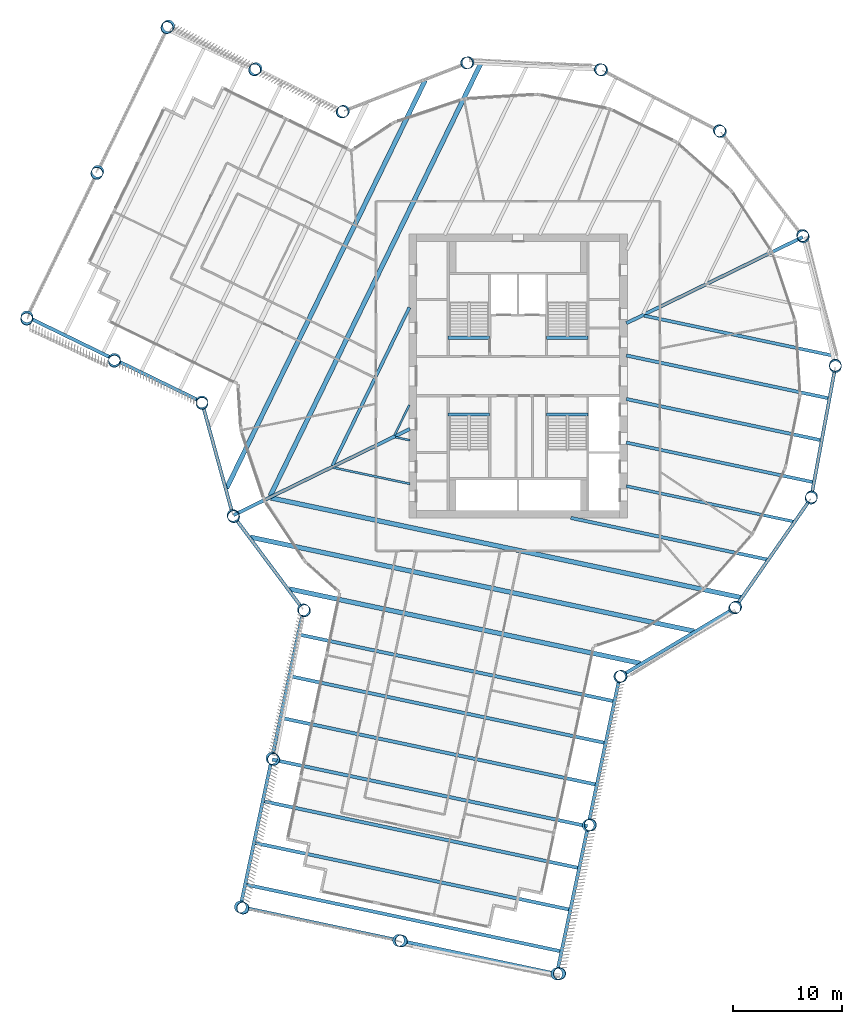
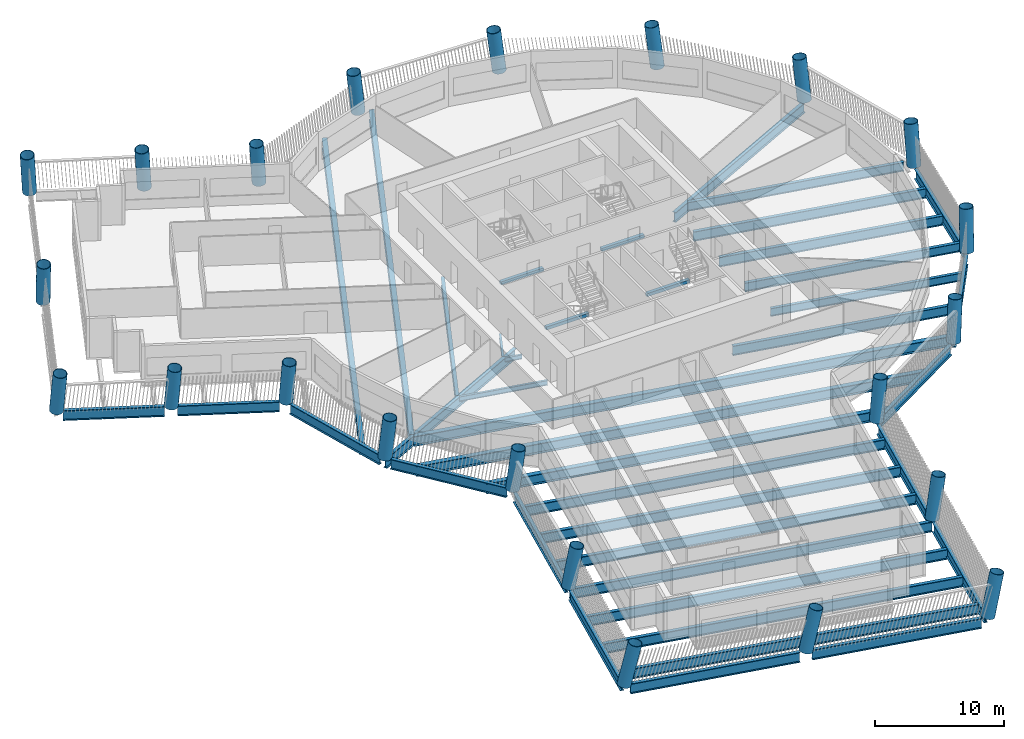
# One storey, part 1 of 15: 41 beams, 22 columns.
"""IFC4 building model written with IfcOpenShell, lengths in metres."""

from ifc_helpers import new_model, si_unit, direction, frame, origin, origin_2d, place, context, subcontext, project, spatial, rectangle, hollow_circle, i_section, extrude, material, material_profile, profile_set, type_object, element, save


model = new_model("IFC4")

# Units and contexts
model_context = context("Model", 3, precision=1e-05, world=origin(), true_north=direction((0.0, 1.0)))
body_context = subcontext(model_context, "Body", "Model", "MODEL_VIEW")
ifc_project = project(units=[si_unit("LENGTHUNIT", "METRE"), si_unit("AREAUNIT", "SQUARE_METRE"), si_unit("VOLUMEUNIT", "CUBIC_METRE"), si_unit("PLANEANGLEUNIT", "RADIAN"), si_unit("MASSUNIT", "GRAM", prefix="KILO")], contexts=[model_context])

# Site, building, storey
site_placement = place(None, origin())
site = spatial("IfcSite", under=ifc_project, at=site_placement, CompositionType="ELEMENT")
building_placement = place(site_placement, origin())
building = spatial("IfcBuilding", under=site, at=building_placement, Name="Tarsis Ring Headquarters", CompositionType="ELEMENT")
storey_placement = place(building_placement, frame((0.0, 0.0, 174.89990234375)))
storey = spatial("IfcBuildingStorey", under=building, at=storey_placement, Name="L40", CompositionType="ELEMENT", Elevation=174.89990234375)

# Columns
ifc_material_1 = material(Name="Structural steel S355", Category="steel")
ifc_material_profile_1 = material_profile(ifc_material_1, hollow_circle(Radius=0.558837890625, WallThickness=0.044921875, at=origin_2d()), Name="CHS 1118x45")
ifc_profile_set_1 = profile_set([ifc_material_profile_1], Name="Structural steel S355")
column_type = type_object("IfcColumnType", Name="XC Exo column CHS 1118x45", PredefinedType="COLUMN", material=ifc_profile_set_1)
for number, where, z_axis, x_axis, name in (
    (1, (-26.099609375, -12.75244140625, 0.001220703125), (0.051819896051, -0.104013044654, 0.993225042433), (0.895068662018, 0.445928346568, 0.0), "Exo column XC4 F1"),
    (2, (-19.658447265625, -21.385986328125, 0.001220703125), (0.086159337449, -0.077947761606, 0.99322742362), (0.67088528387, 0.741561147773, 0.0), "Exo column XC4 AK"),
):
    element("IfcColumn", number, at=place(storey_placement, frame(where, z_axis=z_axis, x_axis=x_axis)), inside=storey, type_object=column_type, Name=name, PredefinedType="COLUMN", context=body_context, shape_type="SweptSolid", body=[
        extrude(hollow_circle(Radius=0.558837890625, WallThickness=0.044921875, at=origin_2d()), origin(), (0.0, 0.0, 1.0), 3.924560546875),
    ])
column_1_placement = place(storey_placement, frame((-22.539306640625, -34.986572265625, 0.00146484375), z_axis=(0.139691111192, -0.088411313629, 0.986240251195), x_axis=(0.534794215706, 0.844982335228, 0.0)))
element("IfcColumn", 3, at=column_1_placement, inside=storey, type_object=column_type, Name="Exo column XC4 AI1", PredefinedType="COLUMN", context=body_context, shape_type="SweptSolid", body=[
    extrude(hollow_circle(Radius=0.558837890625, WallThickness=0.044921875, at=origin_2d()), origin(), (0.0, 0.0, 1.0), 3.95166015625),
])
column_2_placement = place(storey_placement, frame((-25.420166015625, -48.5869140625, 0.001708984375), z_axis=(0.191914307217, -0.098496026337, 0.976456569173), x_axis=(0.456604510391, 0.889669782048, 0.0)))
element("IfcColumn", 4, at=column_2_placement, inside=storey, type_object=column_type, Name="Exo column XC4 AT1", PredefinedType="COLUMN", context=body_context, shape_type="SweptSolid", body=[
    extrude(hollow_circle(Radius=0.558837890625, WallThickness=0.044921875, at=origin_2d()), origin(), (0.0, 0.0, 1.0), 3.99072265625),
])
column_3_placement = place(storey_placement, frame((-10.94140625, -51.65380859375, 0.001708984375), z_axis=(0.203824626866, -0.041549337647, 0.978125336562), x_axis=(0.19974067458, 0.979848795947, 0.0)))
element("IfcColumn", 5, at=column_3_placement, inside=storey, type_object=column_type, Name="Exo column XC4 AT2", PredefinedType="COLUMN", context=body_context, shape_type="SweptSolid", body=[
    extrude(hollow_circle(Radius=0.558837890625, WallThickness=0.044921875, at=origin_2d()), origin(), (0.0, 0.0, 1.0), 3.98388671875),
])
column_4_placement = place(storey_placement, frame((3.537353515625, -54.720703125, 0.001708984375), z_axis=(0.215102888251, 0.015600465445, 0.976466780256), x_axis=(-0.072335605502, 0.997380348802, 0.0)))
element("IfcColumn", 6, at=column_4_placement, inside=storey, type_object=column_type, Name="Exo column XC4 AT3", PredefinedType="COLUMN", context=body_context, shape_type="SweptSolid", body=[
    extrude(hollow_circle(Radius=0.558837890625, WallThickness=0.044921875, at=origin_2d()), origin(), (0.0, 0.0, 1.0), 3.99072265625),
])
column_5_placement = place(storey_placement, frame((6.418212890625, -41.120361328125, 0.00146484375), z_axis=(0.16316783407, 0.026751863746, 0.986235568062), x_axis=(-0.161792922616, 0.986824731242, 0.0)))
element("IfcColumn", 7, at=column_5_placement, inside=storey, type_object=column_type, Name="Exo column XC4 AO1", PredefinedType="COLUMN", context=body_context, shape_type="SweptSolid", body=[
    extrude(hollow_circle(Radius=0.558837890625, WallThickness=0.044921875, at=origin_2d()), origin(), (0.0, 0.0, 1.0), 3.95166015625),
])
for number, where, z_axis, x_axis, name in (
    (8, (9.299072265625, -27.519775390625, 0.001220703125), (0.109798656167, 0.038009619783, 0.993226823997), (-0.3271289527, 0.94497970788, 0.0), "Exo column XC4 AJ"),
    (9, (19.815673828125, -21.240234375, 0.001220703125), (0.084354997231, 0.07993817953, 0.993224104568), (-0.687848573221, 0.725854214232, 0.0), "Exo column XC4 R1"),
    (10, (26.80908203125, -11.18408203125, 0.001220703125), (0.04391951932, 0.107559276069, 0.993228109728), (-0.925794108463, 0.378028132201, 0.0), "Exo column XC4 R2"),
    (11, (29.03564453125, 0.860595703125, 0.001220703125), (-0.00435460371, 0.116143501811, 0.993222897649), (-0.999297866229, -0.037466979452, 0.0), "Exo column XC4 R3"),
    (12, (26.099609375, 12.75244140625, 0.001220703125), (-0.051819896051, 0.104013044654, 0.993225042433), (-0.895068662018, -0.445928346568, 0.0), "Exo column XC4 R4"),
    (13, (18.52294921875, 22.376708984375, 0.001220703125), (-0.090078347007, 0.073406387754, 0.993225751598), (-0.631720615671, -0.775196145331, 0.0), "Exo column XC4 R5"),
    (14, (7.65283203125, 28.022216796875, 0.001220703125), (-0.112348877677, 0.029735749463, 0.993223798994), (-0.255863135024, -0.96671301643, 0.0), "Exo column XC4 R6"),
    (15, (-4.578125, 28.685546875, 0.001220703125), (-0.114588761578, -0.019222544695, 0.993227018106), (0.165440768716, -0.986219728076, 0.0), "Exo column XC4 R7"),
    (16, (-15.994873046875, 24.248291015625, 0.001220703125), (-0.096547449596, -0.064758952983, 0.993219446037), (0.557044220167, -0.830482833524, 0.0), "Exo column XC4 BJ"),
):
    element("IfcColumn", number, at=place(storey_placement, frame(where, z_axis=z_axis, x_axis=x_axis)), inside=storey, type_object=column_type, Name=name, PredefinedType="COLUMN", context=body_context, shape_type="SweptSolid", body=[
        extrude(hollow_circle(Radius=0.558837890625, WallThickness=0.044921875, at=origin_2d()), origin(), (0.0, 0.0, 1.0), 3.924560546875),
    ])
column_6_placement = place(storey_placement, frame((-23.9990234375, 28.14501953125, 0.001220703125), z_axis=(-0.111330793432, -0.096461906162, 0.989090771918), x_axis=(0.654834462813, -0.75577233762, 0.0)))
element("IfcColumn", 17, at=column_6_placement, inside=storey, type_object=column_type, Name="Exo column XC4 BO1", PredefinedType="COLUMN", context=body_context, shape_type="SweptSolid", body=[
    extrude(hollow_circle(Radius=0.558837890625, WallThickness=0.044921875, at=origin_2d()), origin(), (0.0, 0.0, 1.0), 3.940673828125),
])
column_7_placement = place(storey_placement, frame((-32.0029296875, 32.0419921875, 0.00146484375), z_axis=(-0.12596738584, -0.127816222227, 0.98376584157), x_axis=(0.712239217701, -0.701936818217, 0.0)))
element("IfcColumn", 18, at=column_7_placement, inside=storey, type_object=column_type, Name="Exo column XC4 BT3", PredefinedType="COLUMN", context=body_context, shape_type="SweptSolid", body=[
    extrude(hollow_circle(Radius=0.558837890625, WallThickness=0.044921875, at=origin_2d()), origin(), (0.0, 0.0, 1.0), 3.96142578125),
])
column_8_placement = place(storey_placement, frame((-38.481689453125, 18.735107421875, 0.00146484375), z_axis=(-0.073155551745, -0.15328711813, 0.985470103384), x_axis=(0.902490670909, -0.430709401944, 0.0)))
element("IfcColumn", 19, at=column_8_placement, inside=storey, type_object=column_type, Name="Exo column XC4 BT2", PredefinedType="COLUMN", context=body_context, shape_type="SweptSolid", body=[
    extrude(hollow_circle(Radius=0.558837890625, WallThickness=0.044921875, at=origin_2d()), origin(), (0.0, 0.0, 1.0), 3.95458984375),
])
column_9_placement = place(storey_placement, frame((-44.960205078125, 5.428466796875, 0.00146484375), z_axis=(-0.020090829408, -0.17829070392, 0.983772729582), x_axis=(0.993710788733, -0.111977088533, 0.0)))
element("IfcColumn", 20, at=column_9_placement, inside=storey, type_object=column_type, Name="Exo column XC4 BT1", PredefinedType="COLUMN", context=body_context, shape_type="SweptSolid", body=[
    extrude(hollow_circle(Radius=0.558837890625, WallThickness=0.044921875, at=origin_2d()), origin(), (0.0, 0.0, 1.0), 3.96142578125),
])
column_10_placement = place(storey_placement, frame((-36.9560546875, 1.53173828125, 0.001220703125), z_axis=(-0.004956266546, -0.147263069752, 0.989084942616), x_axis=(0.999434121939, -0.033636823624, 0.0)))
element("IfcColumn", 21, at=column_10_placement, inside=storey, type_object=column_type, Name="Exo column XC4 BI1", PredefinedType="COLUMN", context=body_context, shape_type="SweptSolid", body=[
    extrude(hollow_circle(Radius=0.558837890625, WallThickness=0.044921875, at=origin_2d()), origin(), (0.0, 0.0, 1.0), 3.940673828125),
])
column_11_placement = place(storey_placement, frame((-28.9521484375, -2.365234375, 0.001220703125), z_axis=(0.010388902596, -0.115708735505, 0.993228855416), x_axis=(0.995993538583, 0.089425226314, 0.0)))
element("IfcColumn", 22, at=column_11_placement, inside=storey, type_object=column_type, Name="Exo column XC4 BK", PredefinedType="COLUMN", context=body_context, shape_type="SweptSolid", body=[
    extrude(hollow_circle(Radius=0.558837890625, WallThickness=0.044921875, at=origin_2d()), origin(), (0.0, 0.0, 1.0), 3.924560546875),
])

# Beams
ifc_material_profile_2 = material_profile(ifc_material_1, i_section(OverallWidth=0.177734375, OverallDepth=0.406494140625, WebThickness=0.0078125, FlangeThickness=0.0126953125, at=origin_2d()), Name="W16x40")
ifc_profile_set_2 = profile_set([ifc_material_profile_2], Name="Structural steel S355")
beam_type_1 = type_object("IfcBeamType", Name="FB Floor beam W16x40", PredefinedType="JOIST", material=ifc_profile_set_2)
beam_1_placement = place(storey_placement, frame((-11.23486328125, -5.59326171875, -0.363037109375), z_axis=(0.978305719164, -0.207166406183, 0.0), x_axis=(0.207166406183, 0.978305719164, 0.0)))
element("IfcBeam", 23, at=beam_1_placement, inside=storey, type_object=beam_type_1, Name="Floor beam FB1", PredefinedType="JOIST", context=body_context, shape_type="SweptSolid", body=[
    extrude(i_section(OverallWidth=0.177734375, OverallDepth=0.406494140625, WebThickness=0.0078125, FlangeThickness=0.0126953125, at=origin_2d()), origin(), (0.0, 0.0, 1.0), 1.3623046875),
])
beam_2_placement = place(storey_placement, frame((-9.956298828125, -2.630859375, -0.363037109375), z_axis=(-0.437731769442, -0.899105610049, 0.0), x_axis=(0.899105610049, -0.437731769442, 0.0)))
element("IfcBeam", 24, at=beam_2_placement, inside=storey, type_object=beam_type_1, Name="Floor beam FB1", PredefinedType="JOIST", context=body_context, shape_type="SweptSolid", body=[
    extrude(i_section(OverallWidth=0.177734375, OverallDepth=0.406494140625, WebThickness=0.0078125, FlangeThickness=0.0126953125, at=origin_2d()), origin(), (0.0, 0.0, 1.0), 3.1083984375),
])
ifc_material_profile_3 = material_profile(ifc_material_1, i_section(OverallWidth=0.1904296875, OverallDepth=0.457275390625, WebThickness=0.009033203125, FlangeThickness=0.014404296875, at=origin_2d()), Name="W18x50")
ifc_profile_set_3 = profile_set([ifc_material_profile_3], Name="Structural steel S355")
beam_type_2 = type_object("IfcBeamType", Name="FB Floor beam W18x50", PredefinedType="JOIST", material=ifc_profile_set_3)
beam_3_placement = place(storey_placement, frame((-16.926513671875, -8.3740234375, -0.388427734375), z_axis=(0.97829034993, -0.20723897132, 0.0), x_axis=(0.20723897132, 0.97829034993, 0.0)))
element("IfcBeam", 25, at=beam_3_placement, inside=storey, type_object=beam_type_2, Name="Floor beam FB2", PredefinedType="JOIST", context=body_context, shape_type="SweptSolid", body=[
    extrude(i_section(OverallWidth=0.1904296875, OverallDepth=0.457275390625, WebThickness=0.009033203125, FlangeThickness=0.014404296875, at=origin_2d()), origin(), (0.0, 0.0, 1.0), 7.18017578125),
])
ifc_material_profile_4 = material_profile(ifc_material_1, i_section(OverallWidth=0.2666015625, OverallDepth=0.7568359375, WebThickness=0.013916015625, FlangeThickness=0.019287109375, at=origin_2d()), Name="W30x108")
ifc_profile_set_4 = profile_set([ifc_material_profile_4], Name="Structural steel S355")
beam_type_3 = type_object("IfcBeamType", Name="FB Floor beam W30x108", PredefinedType="JOIST", material=ifc_profile_set_4)
beam_4_placement = place(storey_placement, frame((9.902099609375, -10.070556640625, -0.538330078125), z_axis=(0.978291055931, -0.207235638552, 0.0), x_axis=(0.207235638552, 0.978291055931, 0.0)))
element("IfcBeam", 26, at=beam_4_placement, inside=storey, type_object=beam_type_3, Name="Floor beam FB6", PredefinedType="JOIST", context=body_context, shape_type="SweptSolid", body=[
    extrude(i_section(OverallWidth=0.2666015625, OverallDepth=0.7568359375, WebThickness=0.013916015625, FlangeThickness=0.019287109375, at=origin_2d()), origin(), (0.0, 0.0, 1.0), 15.68505859375),
])
ifc_material_profile_5 = material_profile(ifc_material_1, i_section(OverallWidth=0.2919921875, OverallDepth=0.835693359375, WebThickness=0.013916015625, FlangeThickness=0.018798828125, at=origin_2d()), Name="W33x118")
ifc_profile_set_5 = profile_set([ifc_material_profile_5], Name="Structural steel S355")
beam_type_4 = type_object("IfcBeamType", Name="FB Floor beam W33x118", PredefinedType="JOIST", material=ifc_profile_set_5)
beam_5_placement = place(storey_placement, frame((11.531494140625, 5.5302734375, -0.57763671875), z_axis=(0.978294787934, -0.207218020212, 0.0), x_axis=(0.207218020212, 0.978294787934, 0.0)))
element("IfcBeam", 27, at=beam_5_placement, inside=storey, type_object=beam_type_4, Name="Floor beam FB7", PredefinedType="JOIST", context=body_context, shape_type="SweptSolid", body=[
    extrude(i_section(OverallWidth=0.2919921875, OverallDepth=0.835693359375, WebThickness=0.013916015625, FlangeThickness=0.018798828125, at=origin_2d()), origin(), (0.0, 0.0, 1.0), 17.564453125),
])
beam_6_placement = place(storey_placement, frame((9.902099609375, -6.083984375, -0.57763671875), z_axis=(0.978292257713, -0.207229965252, 0.0), x_axis=(0.207229965252, 0.978292257713, 0.0)))
element("IfcBeam", 28, at=beam_6_placement, inside=storey, type_object=beam_type_4, Name="Floor beam FB7", PredefinedType="JOIST", context=body_context, shape_type="SweptSolid", body=[
    extrude(i_section(OverallWidth=0.2919921875, OverallDepth=0.835693359375, WebThickness=0.013916015625, FlangeThickness=0.018798828125, at=origin_2d()), origin(), (0.0, 0.0, 1.0), 17.503173828125),
])
beam_7_placement = place(storey_placement, frame((-9.956298828125, 6.278564453125, -0.57763671875), z_axis=(-0.437732309894, -0.899105346928, 0.0), x_axis=(0.899105346928, -0.437732309894, 0.0)))
element("IfcBeam", 29, at=beam_7_placement, inside=storey, type_object=beam_type_4, Name="Floor beam FB7", PredefinedType="JOIST", context=body_context, shape_type="SweptSolid", body=[
    extrude(i_section(OverallWidth=0.2919921875, OverallDepth=0.835693359375, WebThickness=0.013916015625, FlangeThickness=0.018798828125, at=origin_2d()), origin(), (0.0, 0.0, 1.0), 16.1103515625),
])
ifc_material_profile_6 = material_profile(ifc_material_1, i_section(OverallWidth=0.3046875, OverallDepth=0.904296875, WebThickness=0.01513671875, FlangeThickness=0.02001953125, at=origin_2d()), Name="W36x135")
ifc_profile_set_6 = profile_set([ifc_material_profile_6], Name="Structural steel S355")
beam_type_5 = type_object("IfcBeamType", Name="FB Floor beam W36x135", PredefinedType="JOIST", material=ifc_profile_set_6)
beam_8_placement = place(storey_placement, frame((9.902099609375, 1.888916015625, -0.612060546875), z_axis=(0.978294143917, -0.20722106065, 0.0), x_axis=(0.20722106065, 0.978294143917, 0.0)))
element("IfcBeam", 30, at=beam_8_placement, inside=storey, type_object=beam_type_5, Name="Floor beam FB8", PredefinedType="JOIST", context=body_context, shape_type="SweptSolid", body=[
    extrude(i_section(OverallWidth=0.3046875, OverallDepth=0.904296875, WebThickness=0.01513671875, FlangeThickness=0.02001953125, at=origin_2d()), origin(), (0.0, 0.0, 1.0), 18.953125),
])
beam_9_placement = place(storey_placement, frame((9.902099609375, -2.09765625, -0.612060546875), z_axis=(0.978293238333, -0.207225335882, 0.0), x_axis=(0.207225335882, 0.978293238333, 0.0)))
element("IfcBeam", 31, at=beam_9_placement, inside=storey, type_object=beam_type_5, Name="Floor beam FB8", PredefinedType="JOIST", context=body_context, shape_type="SweptSolid", body=[
    extrude(i_section(OverallWidth=0.3046875, OverallDepth=0.904296875, WebThickness=0.01513671875, FlangeThickness=0.02001953125, at=origin_2d()), origin(), (0.0, 0.0, 1.0), 18.228271484375),
])
beam_10_placement = place(storey_placement, frame((4.813720703125, -12.979248046875, -0.612060546875), z_axis=(0.978292471837, -0.207228954412, 0.0), x_axis=(0.207228954412, 0.978292471837, 0.0)))
element("IfcBeam", 32, at=beam_10_placement, inside=storey, type_object=beam_type_5, Name="Floor beam FB8", PredefinedType="JOIST", context=body_context, shape_type="SweptSolid", body=[
    extrude(i_section(OverallWidth=0.3046875, OverallDepth=0.904296875, WebThickness=0.01513671875, FlangeThickness=0.02001953125, at=origin_2d()), origin(), (0.0, 0.0, 1.0), 18.416259765625),
])
ifc_material_profile_7 = material_profile(ifc_material_1, i_section(OverallWidth=0.309814453125, OverallDepth=0.949951171875, WebThickness=0.0244140625, FlangeThickness=0.0439453125, at=origin_2d()), Name="W36x256")
ifc_profile_set_7 = profile_set([ifc_material_profile_7], Name="Structural steel S355")
beam_type_6 = type_object("IfcBeamType", Name="FB Floor beam W36x256", PredefinedType="JOIST", material=ifc_profile_set_7)
beam_11_placement = place(storey_placement, frame((-20.082275390625, -23.65185546875, -0.635009765625), z_axis=(0.97829315713, -0.207225719234, 0.0), x_axis=(0.207225719234, 0.97829315713, 0.0)))
element("IfcBeam", 33, at=beam_11_placement, inside=storey, type_object=beam_type_6, Name="Floor beam FB11", PredefinedType="JOIST", context=body_context, shape_type="SweptSolid", body=[
    extrude(i_section(OverallWidth=0.309814453125, OverallDepth=0.949951171875, WebThickness=0.0244140625, FlangeThickness=0.0439453125, at=origin_2d()), origin(), (0.0, 0.0, 1.0), 29.489990234375),
])
beam_12_placement = place(storey_placement, frame((-20.890625, -27.467041015625, -0.635009765625), z_axis=(0.978291834301, -0.207231964088, 0.0), x_axis=(0.207231964088, 0.978291834301, 0.0)))
element("IfcBeam", 34, at=beam_12_placement, inside=storey, type_object=beam_type_6, Name="Floor beam FB11", PredefinedType="JOIST", context=body_context, shape_type="SweptSolid", body=[
    extrude(i_section(OverallWidth=0.309814453125, OverallDepth=0.949951171875, WebThickness=0.0244140625, FlangeThickness=0.0439453125, at=origin_2d()), origin(), (0.0, 0.0, 1.0), 29.490234375),
])
for number, where, z_axis, x_axis, name in (
    (35, (-21.69873046875, -31.282470703125, -0.635009765625), (0.97829315713, -0.207225719234, 0.0), (0.207225719234, 0.97829315713, 0.0), "Floor beam FB11"),
    (36, (-22.5068359375, -35.097900390625, -0.635009765625), (0.97829315713, -0.207225719234, 0.0), (0.207225719234, 0.97829315713, 0.0), "Floor beam FB11"),
):
    element("IfcBeam", number, at=place(storey_placement, frame(where, z_axis=z_axis, x_axis=x_axis)), inside=storey, type_object=beam_type_6, Name=name, PredefinedType="JOIST", context=body_context, shape_type="SweptSolid", body=[
        extrude(i_section(OverallWidth=0.309814453125, OverallDepth=0.949951171875, WebThickness=0.0244140625, FlangeThickness=0.0439453125, at=origin_2d()), origin(), (0.0, 0.0, 1.0), 29.489990234375),
    ])
beam_13_placement = place(storey_placement, frame((-23.315185546875, -38.9130859375, -0.635009765625), z_axis=(0.978291834301, -0.207231964088, 0.0), x_axis=(0.207231964088, 0.978291834301, 0.0)))
element("IfcBeam", 37, at=beam_13_placement, inside=storey, type_object=beam_type_6, Name="Floor beam FB11", PredefinedType="JOIST", context=body_context, shape_type="SweptSolid", body=[
    extrude(i_section(OverallWidth=0.309814453125, OverallDepth=0.949951171875, WebThickness=0.0244140625, FlangeThickness=0.0439453125, at=origin_2d()), origin(), (0.0, 0.0, 1.0), 29.490234375),
])
for number, where, z_axis, x_axis, name in (
    (38, (-24.123291015625, -42.728515625, -0.635009765625), (0.97829315713, -0.207225719234, 0.0), (0.207225719234, 0.97829315713, 0.0), "Floor beam FB11"),
    (39, (-24.931396484375, -46.5439453125, -0.635009765625), (0.97829315713, -0.207225719234, 0.0), (0.207225719234, 0.97829315713, 0.0), "Floor beam FB11"),
):
    element("IfcBeam", number, at=place(storey_placement, frame(where, z_axis=z_axis, x_axis=x_axis)), inside=storey, type_object=beam_type_6, Name=name, PredefinedType="JOIST", context=body_context, shape_type="SweptSolid", body=[
        extrude(i_section(OverallWidth=0.309814453125, OverallDepth=0.949951171875, WebThickness=0.0244140625, FlangeThickness=0.0439453125, at=origin_2d()), origin(), (0.0, 0.0, 1.0), 29.489990234375),
    ])
beam_type_7 = type_object("IfcBeamType", Name="FB Floor beam W36x256 spine", PredefinedType="BEAM", material=ifc_profile_set_7)
beam_14_placement = place(storey_placement, frame((-9.91015625, -4.842041015625, -0.635009765625), z_axis=(-0.898483859448, -0.439006553836, 0.0), x_axis=(0.439006553836, -0.898483859448, 0.0)))
element("IfcBeam", 40, at=beam_14_placement, inside=storey, type_object=beam_type_7, Name="Floor beam SB11", PredefinedType="BEAM", context=body_context, shape_type="SweptSolid", body=[
    extrude(i_section(OverallWidth=0.309814453125, OverallDepth=0.949951171875, WebThickness=0.0244140625, FlangeThickness=0.0439453125, at=origin_2d()), origin(), (0.0, 0.0, 1.0), 17.9609375),
])
beam_15_placement = place(storey_placement, frame((26.047119140625, 12.7265625, -0.635009765625), z_axis=(-0.898486723575, -0.439000691981, 0.0), x_axis=(0.439000691981, -0.898486723575, 0.0)))
element("IfcBeam", 41, at=beam_15_placement, inside=storey, type_object=beam_type_7, Name="Floor beam SB11", PredefinedType="BEAM", context=body_context, shape_type="SweptSolid", body=[
    extrude(i_section(OverallWidth=0.309814453125, OverallDepth=0.949951171875, WebThickness=0.0244140625, FlangeThickness=0.0439453125, at=origin_2d()), origin(), (0.0, 0.0, 1.0), 17.960205078125),
])
ifc_material_profile_8 = material_profile(ifc_material_1, i_section(OverallWidth=0.42431640625, OverallDepth=0.947509765625, WebThickness=0.02392578125, FlangeThickness=0.042724609375, at=origin_2d()), Name="W36x302")
ifc_profile_set_8 = profile_set([ifc_material_profile_8], Name="Structural steel S355")
beam_type_8 = type_object("IfcBeamType", Name="FB Floor beam W36x302", PredefinedType="JOIST", material=ifc_profile_set_8)
beam_16_placement = place(storey_placement, frame((-22.617919921875, -11.155029296875, -0.633544921875), z_axis=(0.978292740197, -0.207227687526, 0.0), x_axis=(0.207227687526, 0.978292740197, 0.0)))
element("IfcBeam", 42, at=beam_16_placement, inside=storey, type_object=beam_type_8, Name="Floor beam FB12", PredefinedType="JOIST", context=body_context, shape_type="SweptSolid", body=[
    extrude(i_section(OverallWidth=0.42431640625, OverallDepth=0.947509765625, WebThickness=0.02392578125, FlangeThickness=0.042724609375, at=origin_2d()), origin(), (0.0, 0.0, 1.0), 43.986572265625),
])
beam_17_placement = place(storey_placement, frame((-24.50439453125, -14.741943359375, -0.633544921875), z_axis=(0.978292133158, -0.207230553253, 0.0), x_axis=(0.207230553253, 0.978292133158, 0.0)))
element("IfcBeam", 43, at=beam_17_placement, inside=storey, type_object=beam_type_8, Name="Floor beam FB12", PredefinedType="JOIST", context=body_context, shape_type="SweptSolid", body=[
    extrude(i_section(OverallWidth=0.42431640625, OverallDepth=0.947509765625, WebThickness=0.02392578125, FlangeThickness=0.042724609375, at=origin_2d()), origin(), (0.0, 0.0, 1.0), 41.523681640625),
])
beam_18_placement = place(storey_placement, frame((-20.971923828125, -19.476806640625, -0.633544921875), z_axis=(0.978292556298, -0.207228555687, 0.0), x_axis=(0.207228555687, 0.978292556298, 0.0)))
element("IfcBeam", 44, at=beam_18_placement, inside=storey, type_object=beam_type_8, Name="Floor beam FB12", PredefinedType="JOIST", context=body_context, shape_type="SweptSolid", body=[
    extrude(i_section(OverallWidth=0.42431640625, OverallDepth=0.947509765625, WebThickness=0.02392578125, FlangeThickness=0.042724609375, at=origin_2d()), origin(), (0.0, 0.0, 1.0), 32.87548828125),
])
beam_19_placement = place(storey_placement, frame((-3.445068359375, 28.561279296875, -0.633544921875), z_axis=(-0.437742020471, -0.899100619238, 0.0), x_axis=(0.899100619238, -0.437742020471, 0.0)))
element("IfcBeam", 45, at=beam_19_placement, inside=storey, type_object=beam_type_8, Name="Floor beam FB12", PredefinedType="JOIST", context=body_context, shape_type="SweptSolid", body=[
    extrude(i_section(OverallWidth=0.42431640625, OverallDepth=0.947509765625, WebThickness=0.02392578125, FlangeThickness=0.042724609375, at=origin_2d()), origin(), (0.0, 0.0, 1.0), 43.98681640625),
])
beam_20_placement = place(storey_placement, frame((-8.51220703125, 27.063232421875, -0.633544921875), z_axis=(-0.437743762481, -0.899099771109, 0.0), x_axis=(0.899099771109, -0.437743762481, 0.0)))
element("IfcBeam", 46, at=beam_20_placement, inside=storey, type_object=beam_type_8, Name="Floor beam FB12", PredefinedType="JOIST", context=body_context, shape_type="SweptSolid", body=[
    extrude(i_section(OverallWidth=0.42431640625, OverallDepth=0.947509765625, WebThickness=0.02392578125, FlangeThickness=0.042724609375, at=origin_2d()), origin(), (0.0, 0.0, 1.0), 41.523681640625),
])
ifc_material_2 = material(Name="Concrete C40/50", Category="concrete")
ifc_material_profile_9 = material_profile(ifc_material_2, rectangle(XDim=0.300048828125, YDim=0.300048828125, at=origin_2d()), Name="Stair head beam 300x300 C40/50")
ifc_profile_set_9 = profile_set([ifc_material_profile_9], Name="Concrete C40/50")
beam_type_9 = type_object("IfcBeamType", Name="Stair head beam 300x300 C40/50", PredefinedType="BEAM", material=ifc_profile_set_9)
for number, where, z_axis, x_axis, name in (
    (47, (-6.39990234375, 3.510009765625, -0.309814453125), (1.0, 0.0, 0.0), (0.0, 1.0, 0.0), "Stair head beam L40 Firefighting stair"),
    (48, (2.60009765625, 3.510009765625, -0.309814453125), (1.0, 0.0, 0.0), (0.0, 1.0, 0.0), "Stair head beam L40 Exit stair B"),
    (49, (-6.39990234375, -3.510009765625, -0.309814453125), (1.0, 0.0, 0.0), (0.0, 1.0, 0.0), "Stair head beam L40 Exit stair C"),
    (50, (2.60009765625, -3.510009765625, -0.309814453125), (1.0, 0.0, 0.0), (0.0, 1.0, 0.0), "Stair head beam L40 Exit stair D"),
):
    element("IfcBeam", number, at=place(storey_placement, frame(where, z_axis=z_axis, x_axis=x_axis)), inside=storey, type_object=beam_type_9, Name=name, PredefinedType="BEAM", context=body_context, shape_type="SweptSolid", body=[
        extrude(rectangle(XDim=0.300048828125, YDim=0.300048828125, at=origin_2d()), origin(), (0.0, 0.0, 1.0), 3.7998046875),
    ])
beam_type_10 = type_object("IfcBeamType", Name="XG Ring girder W36x256", PredefinedType="BEAM", material=ifc_profile_set_7)
beam_21_placement = place(storey_placement, frame((-25.799072265625, -13.1552734375, -0.474853515625), z_axis=(0.597974167326, -0.801515374282, 0.0), x_axis=(0.801515374282, 0.597974167326, 0.0)))
element("IfcBeam", 51, at=beam_21_placement, inside=storey, type_object=beam_type_10, Name="Ring girder XG2", PredefinedType="BEAM", context=body_context, shape_type="SweptSolid", body=[
    extrude(i_section(OverallWidth=0.309814453125, OverallDepth=0.949951171875, WebThickness=0.0244140625, FlangeThickness=0.0439453125, at=origin_2d()), origin(), (0.0, 0.0, 1.0), 9.76611328125),
])
for number, where, z_axis, x_axis, name in (
    (52, (-19.7626953125, -21.8779296875, -0.474853515625), (-0.207236307043, -0.978290914321, 0.0), (0.978290914321, -0.207236307043, 0.0), "Ring girder XG2"),
    (53, (-22.643798828125, -35.478515625, -0.474853515625), (-0.207218189082, -0.978294752165, 0.0), (0.978294752165, -0.207218189082, 0.0), "Ring girder XG2"),
):
    element("IfcBeam", number, at=place(storey_placement, frame(where, z_axis=z_axis, x_axis=x_axis)), inside=storey, type_object=beam_type_10, Name=name, PredefinedType="BEAM", context=body_context, shape_type="SweptSolid", body=[
        extrude(i_section(OverallWidth=0.309814453125, OverallDepth=0.949951171875, WebThickness=0.0244140625, FlangeThickness=0.0439453125, at=origin_2d()), origin(), (0.0, 0.0, 1.0), 12.896484375),
    ])
beam_22_placement = place(storey_placement, frame((-24.928466796875, -48.691162109375, -0.474853515625), z_axis=(0.978295157212, -0.207216276809, 0.0), x_axis=(0.207216276809, 0.978295157212, 0.0)))
element("IfcBeam", 54, at=beam_22_placement, inside=storey, type_object=beam_type_10, Name="Ring girder XG2", PredefinedType="BEAM", context=body_context, shape_type="SweptSolid", body=[
    extrude(i_section(OverallWidth=0.309814453125, OverallDepth=0.949951171875, WebThickness=0.0244140625, FlangeThickness=0.0439453125, at=origin_2d()), origin(), (0.0, 0.0, 1.0), 13.794189453125),
])
beam_23_placement = place(storey_placement, frame((-10.44970703125, -51.758056640625, -0.474853515625), z_axis=(0.978291569224, -0.207233215451, 0.0), x_axis=(0.207233215451, 0.978291569224, 0.0)))
element("IfcBeam", 55, at=beam_23_placement, inside=storey, type_object=beam_type_10, Name="Ring girder XG2", PredefinedType="BEAM", context=body_context, shape_type="SweptSolid", body=[
    extrude(i_section(OverallWidth=0.309814453125, OverallDepth=0.949951171875, WebThickness=0.0244140625, FlangeThickness=0.0439453125, at=origin_2d()), origin(), (0.0, 0.0, 1.0), 13.79443359375),
])
for number, where, z_axis, x_axis, name in (
    (56, (3.641357421875, -54.228759765625, -0.474853515625), (0.207218189082, 0.978294752165, 0.0), (-0.978294752165, 0.207218189082, 0.0), "Ring girder XG2"),
    (57, (6.522216796875, -40.62841796875, -0.474853515625), (0.207236307043, 0.978290914321, 0.0), (-0.978290914321, 0.207236307043, 0.0), "Ring girder XG2"),
):
    element("IfcBeam", number, at=place(storey_placement, frame(where, z_axis=z_axis, x_axis=x_axis)), inside=storey, type_object=beam_type_10, Name=name, PredefinedType="BEAM", context=body_context, shape_type="SweptSolid", body=[
        extrude(i_section(OverallWidth=0.309814453125, OverallDepth=0.949951171875, WebThickness=0.0244140625, FlangeThickness=0.0439453125, at=origin_2d()), origin(), (0.0, 0.0, 1.0), 12.896484375),
    ])
beam_24_placement = place(storey_placement, frame((9.730712890625, -27.26220703125, -0.474853515625), z_axis=(0.858586945922, 0.51266797861, 0.0), x_axis=(-0.51266797861, 0.858586945922, 0.0)))
element("IfcBeam", 58, at=beam_24_placement, inside=storey, type_object=beam_type_10, Name="Ring girder XG2", PredefinedType="BEAM", context=body_context, shape_type="SweptSolid", body=[
    extrude(i_section(OverallWidth=0.309814453125, OverallDepth=0.949951171875, WebThickness=0.0244140625, FlangeThickness=0.0439453125, at=origin_2d()), origin(), (0.0, 0.0, 1.0), 11.242919921875),
])
beam_25_placement = place(storey_placement, frame((20.102783203125, -20.82763671875, -0.474853515625), z_axis=(0.57094423527, 0.820988842928, 0.0), x_axis=(-0.820988842928, 0.57094423527, 0.0)))
element("IfcBeam", 59, at=beam_25_placement, inside=storey, type_object=beam_type_10, Name="Ring girder XG2", PredefinedType="BEAM", context=body_context, shape_type="SweptSolid", body=[
    extrude(i_section(OverallWidth=0.309814453125, OverallDepth=0.949951171875, WebThickness=0.0244140625, FlangeThickness=0.0439453125, at=origin_2d()), origin(), (0.0, 0.0, 1.0), 11.2431640625),
])
beam_26_placement = place(storey_placement, frame((26.900634765625, -10.689697265625, -0.474853515625), z_axis=(0.181775881682, 0.983339986393, 0.0), x_axis=(-0.983339986393, 0.181775881682, 0.0)))
element("IfcBeam", 60, at=beam_26_placement, inside=storey, type_object=beam_type_10, Name="Ring girder XG2", PredefinedType="BEAM", context=body_context, shape_type="SweptSolid", body=[
    extrude(i_section(OverallWidth=0.309814453125, OverallDepth=0.949951171875, WebThickness=0.0244140625, FlangeThickness=0.0439453125, at=origin_2d()), origin(), (0.0, 0.0, 1.0), 11.242919921875),
])
beam_27_placement = place(storey_placement, frame((-44.5078125, 5.20849609375, -0.474853515625), z_axis=(0.899101585417, -0.437740035981, 0.0), x_axis=(0.437740035981, 0.899101585417, 0.0)))
element("IfcBeam", 61, at=beam_27_placement, inside=storey, type_object=beam_type_10, Name="Ring girder XG2", PredefinedType="BEAM", context=body_context, shape_type="SweptSolid", body=[
    extrude(i_section(OverallWidth=0.309814453125, OverallDepth=0.949951171875, WebThickness=0.0244140625, FlangeThickness=0.0439453125, at=origin_2d()), origin(), (0.0, 0.0, 1.0), 7.896240234375),
])
beam_28_placement = place(storey_placement, frame((-36.50390625, 1.311767578125, -0.474853515625), z_axis=(0.899089416668, -0.437765029251, 0.0), x_axis=(0.437765029251, 0.899089416668, 0.0)))
element("IfcBeam", 62, at=beam_28_placement, inside=storey, type_object=beam_type_10, Name="Ring girder XG2", PredefinedType="BEAM", context=body_context, shape_type="SweptSolid", body=[
    extrude(i_section(OverallWidth=0.309814453125, OverallDepth=0.949951171875, WebThickness=0.0244140625, FlangeThickness=0.0439453125, at=origin_2d()), origin(), (0.0, 0.0, 1.0), 7.896484375),
])
beam_29_placement = place(storey_placement, frame((-28.81884765625, -2.85009765625, -0.474853515625), z_axis=(0.264794473052, -0.964304872455, 0.0), x_axis=(0.964304872455, 0.264794473052, 0.0)))
element("IfcBeam", 63, at=beam_29_placement, inside=storey, type_object=beam_type_10, Name="Ring girder XG2", PredefinedType="BEAM", context=body_context, shape_type="SweptSolid", body=[
    extrude(i_section(OverallWidth=0.309814453125, OverallDepth=0.949951171875, WebThickness=0.0244140625, FlangeThickness=0.0439453125, at=origin_2d()), origin(), (0.0, 0.0, 1.0), 9.765869140625),
])

save(model, "model.ifc")
